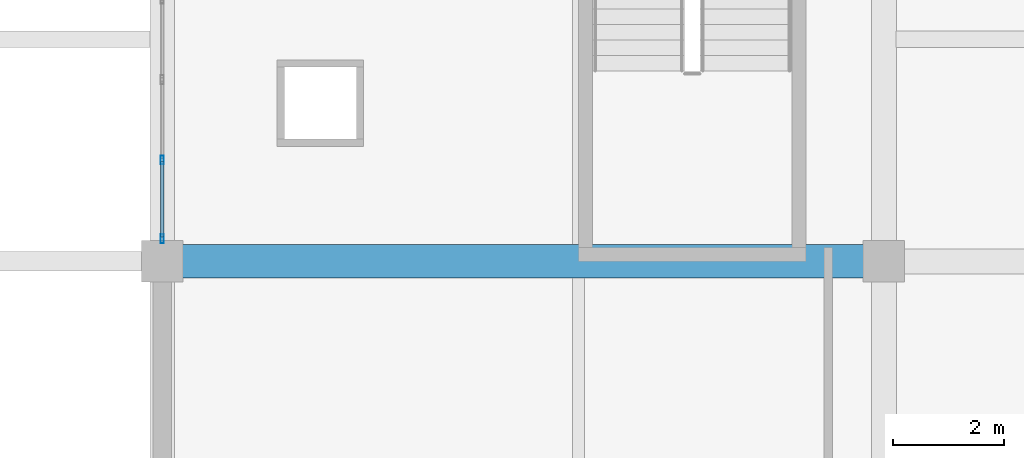
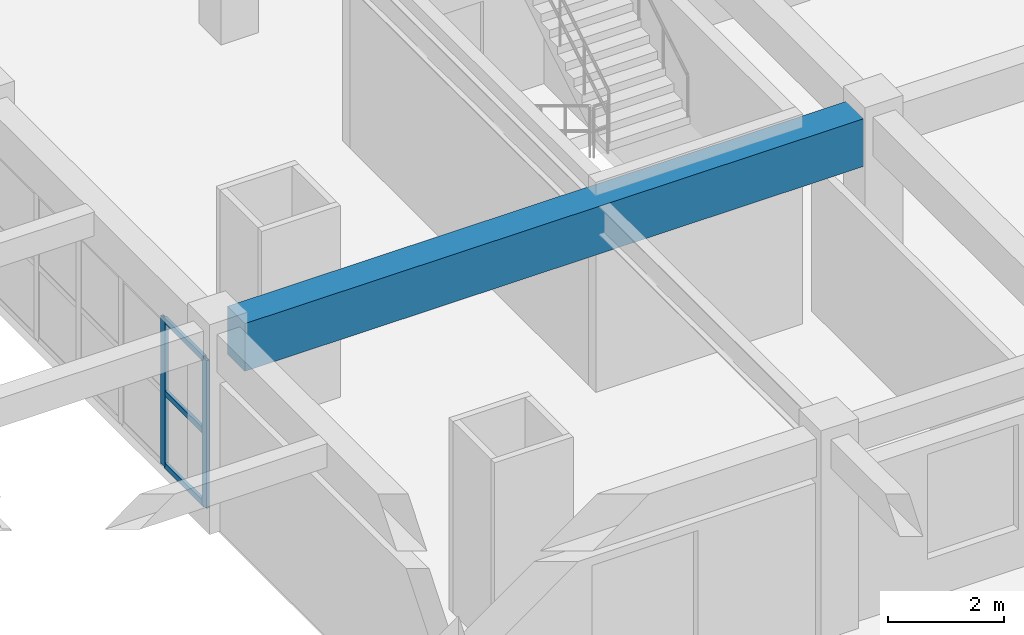
# One storey, part 4 of 116: 5 members, 1 beam, 1 element without a shape of its own.
"""IFC4 building model written with IfcOpenShell, lengths in metres."""

from ifc_helpers import new_model, si_unit, direction, frame, origin, origin_2d, place, context, subcontext, project, spatial, rectangle, hollow_rectangle, extrude, material, layer, layer_set, material_profile, profile_set, type_object, element, aggregate, save


model = new_model("IFC4")

# Units and contexts
model_context = context("Model", 3, precision=1e-05, world=origin(), true_north=direction((0.0, 1.0)))
body_context = subcontext(model_context, "Body", "Model", "MODEL_VIEW")
ifc_project = project(units=[si_unit("LENGTHUNIT", "METRE"), si_unit("AREAUNIT", "SQUARE_METRE"), si_unit("VOLUMEUNIT", "CUBIC_METRE"), si_unit("PLANEANGLEUNIT", "RADIAN"), si_unit("MASSUNIT", "GRAM", prefix="KILO")], contexts=[model_context])

# Site, building, storey
site_placement = place(None, origin())
site = spatial("IfcSite", under=ifc_project, at=site_placement, CompositionType="ELEMENT")
building_placement = place(site_placement, origin())
building = spatial("IfcBuilding", under=site, at=building_placement, Name="Muzn Square Opera House", CompositionType="ELEMENT")
storey_placement = place(building_placement, frame((0.0, 0.0, 5.39990234375)))
storey = spatial("IfcBuildingStorey", under=building, at=storey_placement, Name="L01", CompositionType="ELEMENT", Elevation=5.39990234375)

# Curtain wall, members
ifc_material_1 = material(Name="Low-E laminated acoustic double glazing", Category="glass")
ifc_layer = layer(ifc_material_1, 0.159912109375, Name="Low-E laminated acoustic double glazing", Category="glass")
ifc_layer_set = layer_set([ifc_layer], Name="Low-E laminated acoustic double glazing")
curtain_wall_type = type_object("IfcCurtainWallType", Name="Glazed Curtain Wall WestBlvd 7250x3100", PredefinedType="USERDEFINED", material=ifc_layer_set)
curtain_wall_placement = place(storey_placement, origin())
curtain_wall = element("IfcCurtainWall", 1, at=curtain_wall_placement, inside=storey, type_object=curtain_wall_type, Name="Glazed Curtain Wall CW-L01-139", ObjectType="GLAZED CURTAIN WALL", PredefinedType="USERDEFINED")
ifc_material_2 = material(Name="Anodised bronze aluminium 6063-T6", Category="metal")
ifc_material_profile_1 = material_profile(ifc_material_2, hollow_rectangle(XDim=0.06005859375, YDim=0.159912109375, WallThickness=0.00390625, at=origin_2d()), Name="ALU 160x60x4", Category="metal")
ifc_profile_set_1 = profile_set([ifc_material_profile_1], Name="Anodised bronze aluminium 6063-T6")
member_type_1 = type_object("IfcMemberType", Name="Curtain Wall Mullion 160x60", PredefinedType="MULLION", material=ifc_profile_set_1)
member_1_placement = place(storey_placement, frame((6.0, 14.405029296875, 0.0), z_axis=(0.0, 0.0, 1.0), x_axis=(-1.0, 0.0, 0.0)))
member_1 = element("IfcMember", 2, at=member_1_placement, type_object=member_type_1, Name="CW-WBL-72x31 mullion 1", PredefinedType="MULLION", context=body_context, shape_type="SweptSolid", body=[
    extrude(hollow_rectangle(XDim=0.06005859375, YDim=0.159912109375, WallThickness=0.00390625, at=origin_2d()), origin(), (0.0, 0.0, 1.0), 3.10009765625),
])
member_2_placement = place(storey_placement, frame((6.0, 15.824951171875, 0.0), z_axis=(0.0, 0.0, 1.0), x_axis=(-1.0, 0.0, 0.0)))
member_2 = element("IfcMember", 3, at=member_2_placement, type_object=member_type_1, Name="CW-WBL-72x31 mullion 2", PredefinedType="MULLION", context=body_context, shape_type="SweptSolid", body=[
    extrude(hollow_rectangle(XDim=0.06005859375, YDim=0.159912109375, WallThickness=0.00390625, at=origin_2d()), origin(), (0.0, 0.0, 1.0), 3.10009765625),
])
ifc_material_profile_2 = material_profile(ifc_material_2, hollow_rectangle(XDim=0.06005859375, YDim=0.1201171875, WallThickness=0.00390625, at=origin_2d()), Name="ALU 120x60x4", Category="metal")
ifc_profile_set_2 = profile_set([ifc_material_profile_2], Name="Anodised bronze aluminium 6063-T6")
member_type_2 = type_object("IfcMemberType", Name="Curtain Wall Transom 120x60", PredefinedType="USERDEFINED", material=ifc_profile_set_2)
member_3_placement = place(storey_placement, frame((6.0, 14.43505859375, 0.030029296875), z_axis=(0.0, 1.0, 0.0), x_axis=(-1.0, 0.0, 0.0)))
member_3 = element("IfcMember", 4, at=member_3_placement, type_object=member_type_2, Name="CW-WBL-72x31 transom 1.1", ObjectType="TRANSOM", PredefinedType="USERDEFINED", context=body_context, shape_type="SweptSolid", body=[
    extrude(hollow_rectangle(XDim=0.06005859375, YDim=0.1201171875, WallThickness=0.00390625, at=origin_2d()), origin(), (0.0, 0.0, 1.0), 1.35986328125),
])
member_4_placement = place(storey_placement, frame((6.0, 14.43505859375, 1.550048828125), z_axis=(0.0, 1.0, 0.0), x_axis=(-1.0, 0.0, 0.0)))
member_4 = element("IfcMember", 5, at=member_4_placement, type_object=member_type_2, Name="CW-WBL-72x31 transom 1.2", ObjectType="TRANSOM", PredefinedType="USERDEFINED", context=body_context, shape_type="SweptSolid", body=[
    extrude(hollow_rectangle(XDim=0.06005859375, YDim=0.1201171875, WallThickness=0.00390625, at=origin_2d()), origin(), (0.0, 0.0, 1.0), 1.35986328125),
])
member_5_placement = place(storey_placement, frame((6.0, 14.43505859375, 3.070068359375), z_axis=(0.0, 1.0, 0.0), x_axis=(-1.0, 0.0, 0.0)))
member_5 = element("IfcMember", 6, at=member_5_placement, type_object=member_type_2, Name="CW-WBL-72x31 transom 1.3", ObjectType="TRANSOM", PredefinedType="USERDEFINED", context=body_context, shape_type="SweptSolid", body=[
    extrude(hollow_rectangle(XDim=0.06005859375, YDim=0.1201171875, WallThickness=0.00390625, at=origin_2d()), origin(), (0.0, 0.0, 1.0), 1.35986328125),
])
aggregate(curtain_wall, [member_1, member_2, member_3, member_4, member_5])

# Beam
ifc_material_3 = material(Name="Concrete C40/50", Category="concrete")
ifc_material_profile_3 = material_profile(ifc_material_3, rectangle(XDim=0.60009765625, YDim=1.0, at=origin_2d()), Name="RCB 600x1000", Category="concrete")
ifc_profile_set_3 = profile_set([ifc_material_profile_3], Name="Concrete C40/50")
beam_type = type_object("IfcBeamType", Name="Primary Girder 600x1000", PredefinedType="BEAM", material=ifc_profile_set_3)
beam_placement = place(storey_placement, frame((6.366943359375, 14.0, 3.6201171875), z_axis=(1.0, 0.0, 0.0), x_axis=(0.0, 1.0, 0.0)))
element("IfcBeam", 7, at=beam_placement, inside=storey, type_object=beam_type, Name="Primary Girder BM-L01-BM-PG1000-64_140_186_140-1264", PredefinedType="BEAM", context=body_context, shape_type="SweptSolid", body=[
    extrude(rectangle(XDim=0.60009765625, YDim=1.0, at=origin_2d()), origin(), (0.0, 0.0, 1.0), 12.26611328125),
])

save(model, "model.ifc")
